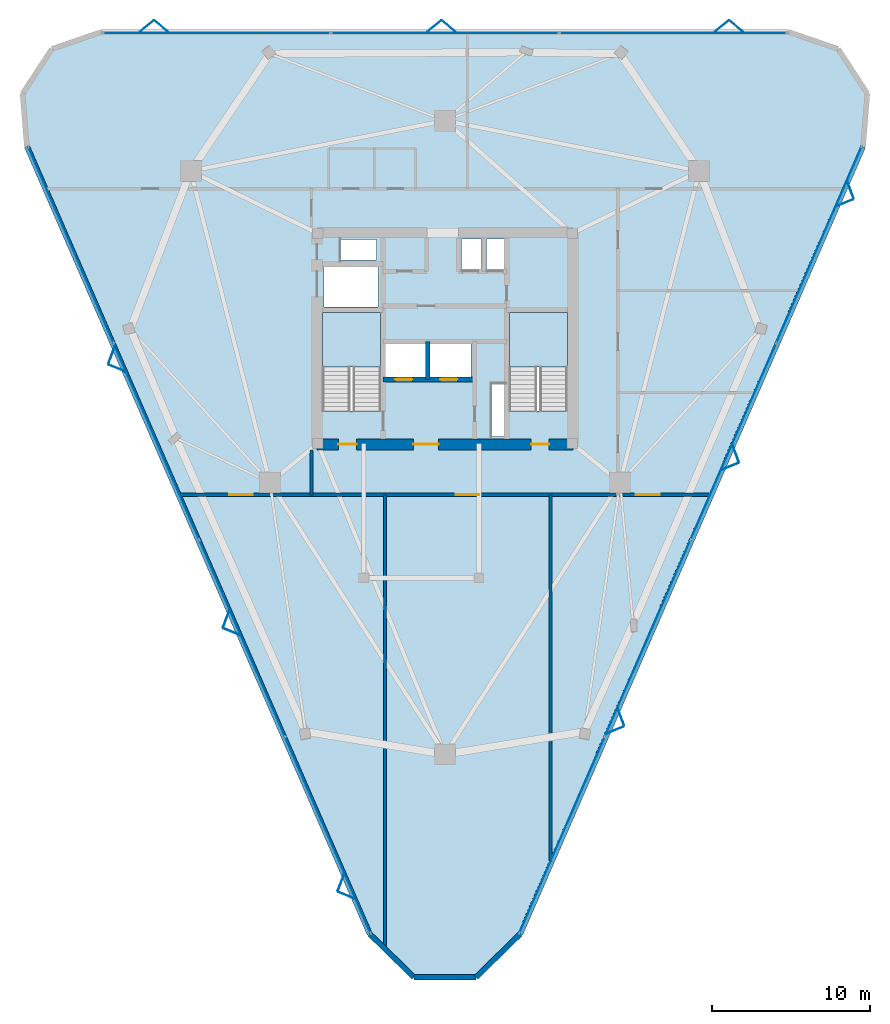
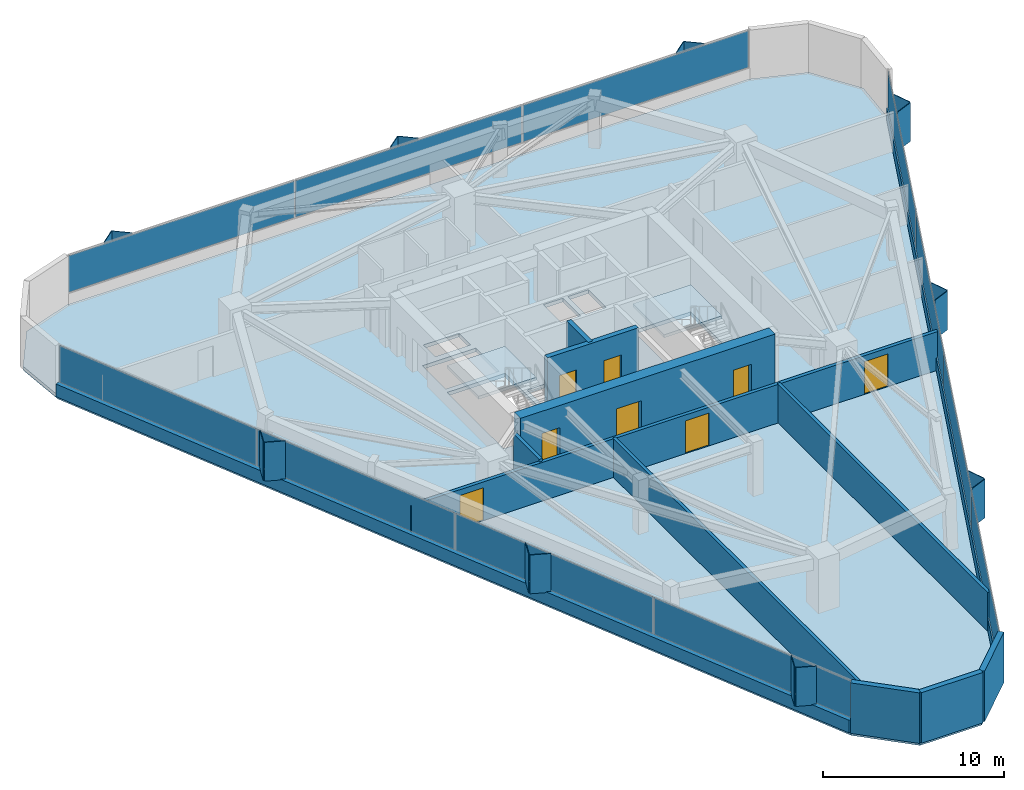
# One storey, part 9 of 12: 29 plates, 12 walls, 8 doors, 3 slabs, 8 openings, 5 elements without a shape of their own.
"""IFC4 building model written with IfcOpenShell, lengths in metres."""

from ifc_helpers import new_model, si_unit, direction, frame, frame_2d, origin, origin_2d, place, context, subcontext, project, spatial, polyline, rectangle, outline, extrude, material, layer, layer_set, type_object, element, fill, aggregate, save


model = new_model("IFC4")

# Units and contexts
model_context = context("Model", 3, precision=1e-05, world=origin(), true_north=direction((0.0, 1.0)))
body_context = subcontext(model_context, "Body", "Model", "MODEL_VIEW")
ifc_project = project(units=[si_unit("LENGTHUNIT", "METRE"), si_unit("AREAUNIT", "SQUARE_METRE"), si_unit("VOLUMEUNIT", "CUBIC_METRE"), si_unit("PLANEANGLEUNIT", "RADIAN"), si_unit("MASSUNIT", "GRAM", prefix="KILO")], contexts=[model_context])

# Site, building, storey
site_placement = place(None, origin())
site = spatial("IfcSite", under=ifc_project, at=site_placement, CompositionType="ELEMENT")
building_placement = place(site_placement, origin())
building = spatial("IfcBuilding", under=site, at=building_placement, Name="Talyreon Biosciences Tower", CompositionType="ELEMENT")
storey_placement = place(building_placement, frame((0.0, 0.0, 186.699951171875)))
storey = spatial("IfcBuildingStorey", under=building, at=storey_placement, Name="L49", CompositionType="ELEMENT", Elevation=186.699951171875)

# Curtain wall, plates
ifc_material_1 = material(Name="Thermally broken aluminium and low-E glazing", Category="aluminium")
ifc_layer_1 = layer(ifc_material_1, 0.179931640625)
ifc_layer_set_1 = layer_set([ifc_layer_1], Name="Thermally broken aluminium and low-E glazing")
curtain_wall_type = type_object("IfcCurtainWallType", Name="CurtainWall_Zone4Optical", PredefinedType="NOTDEFINED", material=ifc_layer_set_1)
curtain_wall_1_placement = place(storey_placement, origin())
curtain_wall_1 = element("IfcCurtainWall", 1, at=curtain_wall_1_placement, inside=storey, type_object=curtain_wall_type, Name="L49 Unitised Curtain Wall FCW-L49-00", PredefinedType="NOTDEFINED")
ifc_material_2 = material(Name="Triple-silver low-E insulated glazing", Category="glass")
ifc_layer_2 = layer(ifc_material_2, 0.031982421875)
ifc_layer_set_2 = layer_set([ifc_layer_2], Name="Triple-silver low-E insulated glazing")
plate_type_1 = type_object("IfcPlateType", Name="CWGlazingPanel_32", PredefinedType="CURTAIN_PANEL", material=ifc_layer_set_2)
plate_1_placement = place(storey_placement, frame((58.5869140625, 36.573974609375, 0.875), z_axis=(0.0, 0.0, 1.0), x_axis=(-0.399089020519, 0.916912184291, 0.0)))
plate_1 = element("IfcPlate", 2, at=plate_1_placement, type_object=plate_type_1, Name="CW5 panel 1.1", PredefinedType="CURTAIN_PANEL", context=body_context, shape_type="SweptSolid", body=[
    extrude(rectangle(XDim=13.49365234375, YDim=0.031982421875, at=origin_2d()), origin(), (0.0, 0.0, 1.0), 2.4599609375),
])
plate_2_placement = place(storey_placement, frame((53.16943359375, 49.02099609375, 0.875), z_axis=(0.0, 0.0, 1.0), x_axis=(-0.399089020519, 0.916912184291, 0.0)))
plate_2 = element("IfcPlate", 3, at=plate_2_placement, type_object=plate_type_1, Name="CW5 panel 2.1", PredefinedType="CURTAIN_PANEL", context=body_context, shape_type="SweptSolid", body=[
    extrude(rectangle(XDim=13.526123046875, YDim=0.031982421875, at=origin_2d()), origin(), (0.0, 0.0, 1.0), 2.4599609375),
])
plate_3_placement = place(storey_placement, frame((47.745361328125, 61.482666015625, 0.875), z_axis=(0.0, 0.0, 1.0), x_axis=(-0.399089020519, 0.916912184291, 0.0)))
plate_3 = element("IfcPlate", 4, at=plate_3_placement, type_object=plate_type_1, Name="CW5 panel 3.1", PredefinedType="CURTAIN_PANEL", context=body_context, shape_type="SweptSolid", body=[
    extrude(rectangle(XDim=13.526123046875, YDim=0.031982421875, at=origin_2d()), origin(), (0.0, 0.0, 1.0), 2.4599609375),
])
plate_4_placement = place(storey_placement, frame((42.327880859375, 73.9296875, 0.875), z_axis=(0.0, 0.0, 1.0), x_axis=(-0.399089020519, 0.916912184291, 0.0)))
plate_4 = element("IfcPlate", 5, at=plate_4_placement, type_object=plate_type_1, Name="CW5 panel 4.1", PredefinedType="CURTAIN_PANEL", context=body_context, shape_type="SweptSolid", body=[
    extrude(rectangle(XDim=13.49365234375, YDim=0.031982421875, at=origin_2d()), origin(), (0.0, 0.0, 1.0), 2.4599609375),
])
aggregate(curtain_wall_1, [plate_1, plate_2, plate_3, plate_4])

curtain_wall_2_placement = place(storey_placement, origin())
curtain_wall_2 = element("IfcCurtainWall", 6, at=curtain_wall_2_placement, inside=storey, type_object=curtain_wall_type, Name="L49 Unitised Curtain Wall FCW-L49-04", PredefinedType="NOTDEFINED")
plate_5_placement = place(storey_placement, frame((51.552001953125, 87.3388671875, 0.875), z_axis=(0.0, 0.0, 1.0), x_axis=(1.0, 0.0, 0.0)))
plate_5 = element("IfcPlate", 7, at=plate_5_placement, type_object=plate_type_1, Name="CW5 panel 1.1", PredefinedType="CURTAIN_PANEL", context=body_context, shape_type="SweptSolid", body=[
    extrude(rectangle(XDim=14.36669921875, YDim=0.031982421875, at=origin_2d()), origin(), (0.0, 0.0, 1.0), 2.4599609375),
])
plate_6_placement = place(storey_placement, frame((66.0, 87.3388671875, 0.875), z_axis=(0.0, 0.0, 1.0), x_axis=(1.0, 0.0, 0.0)))
plate_6 = element("IfcPlate", 8, at=plate_6_placement, type_object=plate_type_1, Name="CW5 panel 2.1", PredefinedType="CURTAIN_PANEL", context=body_context, shape_type="SweptSolid", body=[
    extrude(rectangle(XDim=14.399169921875, YDim=0.031982421875, at=origin_2d()), origin(), (0.0, 0.0, 1.0), 2.4599609375),
])
plate_7_placement = place(storey_placement, frame((80.447998046875, 87.3388671875, 0.875), z_axis=(0.0, 0.0, 1.0), x_axis=(1.0, 0.0, 0.0)))
plate_7 = element("IfcPlate", 9, at=plate_7_placement, type_object=plate_type_1, Name="CW5 panel 3.1", PredefinedType="CURTAIN_PANEL", context=body_context, shape_type="SweptSolid", body=[
    extrude(rectangle(XDim=14.36669921875, YDim=0.031982421875, at=origin_2d()), origin(), (0.0, 0.0, 1.0), 2.4599609375),
])
aggregate(curtain_wall_2, [plate_5, plate_6, plate_7])

curtain_wall_3_placement = place(storey_placement, origin())
curtain_wall_3 = element("IfcCurtainWall", 10, at=curtain_wall_3_placement, inside=storey, type_object=curtain_wall_type, Name="L49 Unitised Curtain Wall FCW-L49-08", PredefinedType="NOTDEFINED")
plate_8_placement = place(storey_placement, frame((89.672119140625, 73.9296875, 0.875), z_axis=(0.0, 0.0, 1.0), x_axis=(-0.399089020519, -0.916912184291, 0.0)))
plate_8 = element("IfcPlate", 11, at=plate_8_placement, type_object=plate_type_1, Name="CW5 panel 1.1", PredefinedType="CURTAIN_PANEL", context=body_context, shape_type="SweptSolid", body=[
    extrude(rectangle(XDim=13.49365234375, YDim=0.031982421875, at=origin_2d()), origin(), (0.0, 0.0, 1.0), 2.4599609375),
])
plate_9_placement = place(storey_placement, frame((84.254638671875, 61.482666015625, 0.875), z_axis=(0.0, 0.0, 1.0), x_axis=(-0.399089020519, -0.916912184291, 0.0)))
plate_9 = element("IfcPlate", 12, at=plate_9_placement, type_object=plate_type_1, Name="CW5 panel 2.1", PredefinedType="CURTAIN_PANEL", context=body_context, shape_type="SweptSolid", body=[
    extrude(rectangle(XDim=13.526123046875, YDim=0.031982421875, at=origin_2d()), origin(), (0.0, 0.0, 1.0), 2.4599609375),
])
plate_10_placement = place(storey_placement, frame((78.83056640625, 49.02099609375, 0.875), z_axis=(0.0, 0.0, 1.0), x_axis=(-0.399089020519, -0.916912184291, 0.0)))
plate_10 = element("IfcPlate", 13, at=plate_10_placement, type_object=plate_type_1, Name="CW5 panel 3.1", PredefinedType="CURTAIN_PANEL", context=body_context, shape_type="SweptSolid", body=[
    extrude(rectangle(XDim=13.526123046875, YDim=0.031982421875, at=origin_2d()), origin(), (0.0, 0.0, 1.0), 2.4599609375),
])
plate_11_placement = place(storey_placement, frame((73.4130859375, 36.573974609375, 0.875), z_axis=(0.0, 0.0, 1.0), x_axis=(-0.399089020519, -0.916912184291, 0.0)))
plate_11 = element("IfcPlate", 14, at=plate_11_placement, type_object=plate_type_1, Name="CW5 panel 4.1", PredefinedType="CURTAIN_PANEL", context=body_context, shape_type="SweptSolid", body=[
    extrude(rectangle(XDim=13.49365234375, YDim=0.031982421875, at=origin_2d()), origin(), (0.0, 0.0, 1.0), 2.4599609375),
])
aggregate(curtain_wall_3, [plate_8, plate_9, plate_10, plate_11])

# Slab
ifc_material_3 = material(Name="Concrete C40/50", Category="concrete")
ifc_layer_3 = layer(ifc_material_3, 0.25)
ifc_layer_set_3 = layer_set([ifc_layer_3], Name="Concrete C40/50")
slab_type_1 = type_object("IfcSlabType", Name="DryLabFloorSlab_250", PredefinedType="FLOOR", material=ifc_layer_set_3)
slab_1_placement = place(storey_placement, frame((0.0, 0.0, -0.25)))
element("IfcSlab", 15, at=slab_1_placement, inside=storey, type_object=slab_type_1, Name="L49 Structural Floor Slab", PredefinedType="FLOOR", context=body_context, shape_type="SweptSolid", body=[
    extrude(outline(polyline([(61.232177734375, 30.29638671875), (39.535888671875, 80.1435546875), (39.265380859375, 83.5048828125), (41.11376953125, 86.325439453125), (44.3037109375, 87.4189453125), (87.6962890625, 87.4189453125), (90.88623046875, 86.325439453125), (92.734619140625, 83.5048828125), (92.464111328125, 80.1435546875), (70.767822265625, 30.29638671875), (67.96142578125, 27.5556640625), (64.03857421875, 27.5556640625), (61.232177734375, 30.29638671875)]), holes=[polyline([(69.820068359375, 65.10009765625), (69.820068359375, 61.800048828125), (68.9599609375, 61.800048828125), (68.9599609375, 65.10009765625), (69.820068359375, 65.10009765625)]), polyline([(61.929931640625, 69.64990234375), (61.929931640625, 63.407958984375), (58.25, 63.407958984375), (58.25, 69.64990234375), (61.929931640625, 69.64990234375)]), polyline([(73.75, 69.64990234375), (73.75, 63.407958984375), (70.070068359375, 63.407958984375), (70.070068359375, 69.64990234375), (73.75, 69.64990234375)]), polyline([(64.800048828125, 67.64990234375), (64.800048828125, 65.550048828125), (62.199951171875, 65.550048828125), (62.199951171875, 67.64990234375), (64.800048828125, 67.64990234375)]), polyline([(67.64990234375, 67.64990234375), (67.64990234375, 65.550048828125), (65.050048828125, 65.550048828125), (65.050048828125, 67.64990234375), (67.64990234375, 67.64990234375)]), polyline([(61.75, 72.550048828125), (61.75, 69.97998046875), (58.35009765625, 69.97998046875), (58.35009765625, 72.550048828125), (61.75, 72.550048828125)]), polyline([(68.300048828125, 74.300048828125), (68.300048828125, 72.35009765625), (67.050048828125, 72.35009765625), (67.050048828125, 74.300048828125), (68.300048828125, 74.300048828125)]), polyline([(69.919921875, 72.35009765625), (68.6201171875, 72.35009765625), (68.6201171875, 74.300048828125), (69.919921875, 74.300048828125), (69.919921875, 72.35009765625)]), polyline([(61.64990234375, 72.9599609375), (59.39990234375, 72.9599609375), (59.39990234375, 74.25), (61.64990234375, 74.25), (61.64990234375, 72.9599609375)])]), origin(), (0.0, 0.0, 1.0), 0.25),
])

# Plates
ifc_material_4 = material(Name="Ivory GFRC sunshade panel", Category="concrete")
ifc_layer_4 = layer(ifc_material_4, 0.044921875)
ifc_layer_set_4 = layer_set([ifc_layer_4], Name="Ivory GFRC sunshade panel")
plate_type_2 = type_object("IfcPlateType", Name="FoldedVSunshade_NorthFace_SUNSHADE", PredefinedType="USERDEFINED", material=ifc_layer_set_4)
for number, where, z_axis, x_axis, name in (
    (16, (47.123779296875, 87.77880859375, 0.7900390625), (0.0, 0.0, 1.0), (0.771624583388, 0.636078220278, 0.0), "L49 Folded V-Sunshade Panel 04.01L"),
    (17, (48.023681640625, 87.77880859375, 0.7900390625), (0.0, 0.0, 1.0), (0.771624583388, -0.636078220278, 0.0), "L49 Folded V-Sunshade Panel 04.01R"),
    (18, (65.32373046875, 87.77880859375, 0.7900390625), (0.0, 0.0, 1.0), (0.771624583388, 0.636078220278, 0.0), "L49 Folded V-Sunshade Panel 04.02L"),
    (19, (66.223876953125, 87.77880859375, 0.7900390625), (0.0, 0.0, 1.0), (0.771624583388, -0.636078220278, 0.0), "L49 Folded V-Sunshade Panel 04.02R"),
    (20, (83.523681640625, 87.77880859375, 0.7900390625), (0.0, 0.0, 1.0), (0.771624583388, 0.636078220278, 0.0), "L49 Folded V-Sunshade Panel 04.03L"),
    (21, (84.423828125, 87.77880859375, 0.7900390625), (0.0, 0.0, 1.0), (0.771624583388, -0.636078220278, 0.0), "L49 Folded V-Sunshade Panel 04.03R"),
):
    element("IfcPlate", number, at=place(storey_placement, frame(where, z_axis=z_axis, x_axis=x_axis)), inside=storey, type_object=plate_type_2, Name=name, ObjectType="SUNSHADE", PredefinedType="USERDEFINED", context=body_context, shape_type="SweptSolid", body=[
        extrude(rectangle(XDim=1.14990234375, YDim=0.044921875, at=origin_2d()), origin(), (0.0, 0.0, 1.0), 2.610107421875),
    ])
ifc_layer_5 = layer(ifc_material_4, 0.044921875)
ifc_layer_set_5 = layer_set([ifc_layer_5], Name="Ivory GFRC sunshade panel")
plate_type_3 = type_object("IfcPlateType", Name="FoldedVSunshade_SunFace_SUNSHADE", PredefinedType="USERDEFINED", material=ifc_layer_set_5)
for number, where, z_axis, x_axis, name in (
    (22, (59.776611328125, 32.73828125, 0.7900390625), (0.0, 0.0, 1.0), (-0.924019731257, 0.382344787134, 0.0), "L49 Folded V-Sunshade Panel 00.01L"),
    (23, (59.41748046875, 33.5634765625, 0.7900390625), (0.0, 0.0, 1.0), (0.349864049456, 0.93680048404, 0.0), "L49 Folded V-Sunshade Panel 00.01R"),
    (24, (52.51318359375, 49.426025390625, 0.7900390625), (0.0, 0.0, 1.0), (-0.924019731257, 0.382344787134, 0.0), "L49 Folded V-Sunshade Panel 00.02L"),
    (25, (52.154052734375, 50.251220703125, 0.7900390625), (0.0, 0.0, 1.0), (0.349864049456, 0.93680048404, 0.0), "L49 Folded V-Sunshade Panel 00.02R"),
    (26, (45.249755859375, 66.114013671875, 0.7900390625), (0.0, 0.0, 1.0), (-0.924019731257, 0.382344787134, 0.0), "L49 Folded V-Sunshade Panel 00.03L"),
    (27, (44.890625, 66.939208984375, 0.7900390625), (0.0, 0.0, 1.0), (0.349864049456, 0.93680048404, 0.0), "L49 Folded V-Sunshade Panel 00.03R"),
    (28, (91.668701171875, 77.414306640625, 0.7900390625), (0.0, 0.0, 1.0), (0.349864049456, -0.93680048404, 0.0), "L49 Folded V-Sunshade Panel 08.01L"),
    (29, (91.3095703125, 76.589111328125, 0.7900390625), (0.0, 0.0, 1.0), (-0.924019731257, -0.382344787134, 0.0), "L49 Folded V-Sunshade Panel 08.01R"),
    (30, (84.4052734375, 60.726318359375, 0.7900390625), (0.0, 0.0, 1.0), (0.349864049456, -0.93680048404, 0.0), "L49 Folded V-Sunshade Panel 08.02L"),
    (31, (84.046142578125, 59.901123046875, 0.7900390625), (0.0, 0.0, 1.0), (-0.924019731257, -0.382344787134, 0.0), "L49 Folded V-Sunshade Panel 08.02R"),
    (32, (77.141845703125, 44.03857421875, 0.7900390625), (0.0, 0.0, 1.0), (0.349864049456, -0.93680048404, 0.0), "L49 Folded V-Sunshade Panel 08.03L"),
    (33, (76.78271484375, 43.21337890625, 0.7900390625), (0.0, 0.0, 1.0), (-0.924019731257, -0.382344787134, 0.0), "L49 Folded V-Sunshade Panel 08.03R"),
):
    element("IfcPlate", number, at=place(storey_placement, frame(where, z_axis=z_axis, x_axis=x_axis)), inside=storey, type_object=plate_type_3, Name=name, ObjectType="SUNSHADE", PredefinedType="USERDEFINED", context=body_context, shape_type="SweptSolid", body=[
        extrude(rectangle(XDim=1.14990234375, YDim=0.044921875, at=origin_2d()), origin(), (0.0, 0.0, 1.0), 2.610107421875),
    ])

# Stair, slab
stair_type = type_object("IfcStairType", Name="DoglegEscapeStair_3650", PredefinedType="HALF_TURN_STAIR", material=ifc_material_3)
stair_1_placement = place(storey_placement, origin())
stair_1 = element("IfcStair", 34, at=stair_1_placement, inside=storey, type_object=stair_type, Name="L49 Core Escape Stair 1", PredefinedType="HALF_TURN_STAIR")
ifc_layer_6 = layer(ifc_material_3, 0.199951171875)
ifc_layer_set_6 = layer_set([ifc_layer_6], Name="Concrete C40/50")
slab_type_2 = type_object("IfcSlabType", Name="StairLandingSlab_200", PredefinedType="LANDING", material=ifc_layer_set_6)
slab_2_placement = place(storey_placement, frame((0.0, 0.0, 1.625)))
slab_2 = element("IfcSlab", 35, at=slab_2_placement, type_object=slab_type_2, Name="ST-1 landing 1", PredefinedType="LANDING", context=body_context, shape_type="SweptSolid", body=[
    extrude(outline(polyline([(61.929931640625, 66.199951171875), (61.929931640625, 69.64990234375), (58.25, 69.64990234375), (58.25, 66.199951171875), (61.929931640625, 66.199951171875)])), origin(), (0.0, 0.0, 1.0), 0.199951171875),
])
aggregate(stair_1, [slab_2])

stair_2_placement = place(storey_placement, origin())
stair_2 = element("IfcStair", 36, at=stair_2_placement, inside=storey, type_object=stair_type, Name="L49 Core Escape Stair 2", PredefinedType="HALF_TURN_STAIR")
slab_3_placement = place(storey_placement, frame((0.0, 0.0, 1.625)))
slab_3 = element("IfcSlab", 37, at=slab_3_placement, type_object=slab_type_2, Name="ST-2 landing 1", PredefinedType="LANDING", context=body_context, shape_type="SweptSolid", body=[
    extrude(outline(polyline([(73.75, 66.199951171875), (73.75, 69.64990234375), (70.070068359375, 69.64990234375), (70.070068359375, 66.199951171875), (73.75, 66.199951171875)])), origin(), (0.0, 0.0, 1.0), 0.199951171875),
])
aggregate(stair_2, [slab_3])

# Walls
ifc_material_5 = material(Name="Gypsum fireboard acoustic stud", Category="gypsum")
ifc_layer_7 = layer(ifc_material_5, 0.199951171875)
ifc_layer_set_7 = layer_set([ifc_layer_7], Name="Gypsum fireboard acoustic stud")
wall_type_1 = type_object("IfcWallType", Name="ChemControlPartition_200", PredefinedType="PARTITIONING", material=ifc_layer_set_7)
wall_1_placement = place(storey_placement, frame((62.199951171875, 29.469970703125, 0.0), z_axis=(0.0, 0.0, 1.0), x_axis=(0.0, 1.0, 0.0)))
element("IfcWall", 38, at=wall_1_placement, inside=storey, type_object=wall_type_1, Name="L49 Interior Wall IW-L49-SDIV1", PredefinedType="PARTITIONING", context=body_context, shape_type="SweptSolid", body=[
    extrude(rectangle(XDim=28.630126953125, YDim=0.199951171875, at=frame_2d((14.31494140625, 0.0))), origin(), (0.0, 0.0, 1.0), 2.60009765625),
])
wall_2_placement = place(storey_placement, frame((72.672119140625, 34.884033203125, 0.0), z_axis=(0.0, 0.0, 1.0), x_axis=(0.0, 1.0, 0.0)))
element("IfcWall", 39, at=wall_2_placement, inside=storey, type_object=wall_type_1, Name="L49 Interior Wall IW-L49-SDIV2", PredefinedType="PARTITIONING", context=body_context, shape_type="SweptSolid", body=[
    extrude(rectangle(XDim=23.216064453125, YDim=0.199951171875, at=frame_2d((11.60791015625, 0.0))), origin(), (0.0, 0.0, 1.0), 2.60009765625),
])
ifc_material_6 = material(Name="Concrete C50/60", Category="concrete")
ifc_layer_8 = layer(ifc_material_6, 0.280029296875)
ifc_layer_set_8 = layer_set([ifc_layer_8], Name="Concrete C50/60")
wall_type_2 = type_object("IfcWallType", Name="CoreShearWall_280", PredefinedType="SHEAR", material=ifc_layer_set_8)
wall_3_placement = place(storey_placement, frame((64.919921875, 65.39990234375, 0.0), z_axis=(0.0, 0.0, 1.0), x_axis=(0.0, 1.0, 0.0)))
element("IfcWall", 40, at=wall_3_placement, inside=storey, type_object=wall_type_2, Name="L49 Core Shaft Wall SWSHD1", PredefinedType="SHEAR", context=body_context, shape_type="SweptSolid", body=[
    extrude(rectangle(XDim=2.400146484375, YDim=0.280029296875, at=frame_2d((1.2001953125, 0.0))), origin(), (0.0, 0.0, 1.0), 3.650146484375),
])

# Wall, openings, doors
ifc_layer_9 = layer(ifc_material_6, 0.320068359375)
ifc_layer_set_9 = layer_set([ifc_layer_9], Name="Concrete C50/60")
wall_type_3 = type_object("IfcWallType", Name="CoreShearWall_320", PredefinedType="SHEAR", material=ifc_layer_set_9)
wall_4_placement = place(storey_placement, frame((62.090087890625, 65.39990234375, 0.0), z_axis=(0.0, 0.0, 1.0), x_axis=(1.0, 0.0, 0.0)))
wall_4 = element("IfcWall", 41, at=wall_4_placement, inside=storey, type_object=wall_type_3, Name="L49 Core Shaft Wall SWFFN", PredefinedType="SHEAR", context=body_context, shape_type="SweptSolid", body=[
    extrude(rectangle(XDim=5.789794921875, YDim=0.320068359375, at=frame_2d((2.89501953125, 0.0))), origin(), (0.0, 0.0, 1.0), 3.650146484375),
])
opening_1_placement = place(wall_4_placement, frame((0.75, 0.0, 0.0)))
opening_1 = element("IfcOpeningElement", 42, at=opening_1_placement, cuts=wall_4, Name="Opening LD-L49-FL1", PredefinedType="OPENING", context=body_context, shape_type="SweptSolid", body=[
    extrude(rectangle(XDim=1.10009765625, YDim=2.199951171875, at=frame_2d((0.550048828125, 1.10009765625))), frame((0.0, 0.169921875, 0.0), z_axis=(0.0, -1.0, 0.0), x_axis=(1.0, 0.0, 0.0)), (0.0, 0.0, 1.0), 0.340087890625),
])
opening_2_placement = place(wall_4_placement, frame((3.60009765625, 0.0, 0.0)))
opening_2 = element("IfcOpeningElement", 43, at=opening_2_placement, cuts=wall_4, Name="Opening LD-L49-FL2", PredefinedType="OPENING", context=body_context, shape_type="SweptSolid", body=[
    extrude(rectangle(XDim=1.10009765625, YDim=2.199951171875, at=frame_2d((0.550048828125, 1.10009765625))), frame((0.0, 0.169921875, 0.0), z_axis=(0.0, -1.0, 0.0), x_axis=(1.0, 0.0, 0.0)), (0.0, 0.0, 1.0), 0.340087890625),
])
ifc_material_7 = material(Name="Brushed stainless-steel lift landing door", Category="steel")
door_type_1 = type_object("IfcDoorType", Name="LiftSlidingLandingDoor_1100x2200", OperationType="SLIDING_TO_LEFT", PredefinedType="DOOR", material=ifc_material_7)
door_1_placement = place(opening_1_placement, origin())
door_1 = element("IfcDoor", 44, at=door_1_placement, inside=storey, type_object=door_type_1, Name="L49 Core Door LD-L49-FL1", OperationType="SLIDING_TO_LEFT", OverallHeight=2.199951171875, OverallWidth=1.10009765625, PredefinedType="DOOR", context=body_context, shape_type="SweptSolid", body=[
    extrude(rectangle(XDim=1.10009765625, YDim=2.199951171875, at=frame_2d((0.550048828125, 1.10009765625))), frame((0.0, 0.02490234375, 0.0), z_axis=(0.0, -1.0, 0.0), x_axis=(1.0, 0.0, 0.0)), (0.0, 0.0, 1.0), 0.050048828125),
])
fill(opening_1, door_1)
door_2_placement = place(opening_2_placement, origin())
door_2 = element("IfcDoor", 45, at=door_2_placement, inside=storey, type_object=door_type_1, Name="L49 Core Door LD-L49-FL2", OperationType="SLIDING_TO_LEFT", OverallHeight=2.199951171875, OverallWidth=1.10009765625, PredefinedType="DOOR", context=body_context, shape_type="SweptSolid", body=[
    extrude(rectangle(XDim=1.10009765625, YDim=2.199951171875, at=frame_2d((0.550048828125, 1.10009765625))), frame((0.0, 0.02490234375, 0.0), z_axis=(0.0, -1.0, 0.0), x_axis=(1.0, 0.0, 0.0)), (0.0, 0.0, 1.0), 0.050048828125),
])
fill(opening_2, door_2)

ifc_layer_10 = layer(ifc_material_6, 0.699951171875)
ifc_layer_set_10 = layer_set([ifc_layer_10], Name="Concrete C50/60")
wall_type_4 = type_object("IfcWallType", Name="CoreShearWall_700", PredefinedType="SHEAR", material=ifc_layer_set_10)
wall_5_placement = place(storey_placement, frame((57.89990234375, 61.300048828125, 0.0), z_axis=(0.0, 0.0, 1.0), x_axis=(1.0, 0.0, 0.0)))
wall_5 = element("IfcWall", 46, at=wall_5_placement, inside=storey, type_object=wall_type_4, Name="L49 Core Shear Wall S", PredefinedType="SHEAR", context=body_context, shape_type="SweptSolid", body=[
    extrude(rectangle(XDim=16.2001953125, YDim=0.699951171875, at=frame_2d((8.10009765625, 0.0))), origin(), (0.0, 0.0, 1.0), 3.650146484375),
])
opening_3_placement = place(wall_5_placement, frame((1.35009765625, 0.0, 0.0)))
opening_3 = element("IfcOpeningElement", 47, at=opening_3_placement, cuts=wall_5, Name="Opening DR-L49-ST1", PredefinedType="OPENING", context=body_context, shape_type="SweptSolid", body=[
    extrude(rectangle(XDim=1.14990234375, YDim=2.14990234375, at=frame_2d((0.574951171875, 1.074951171875))), frame((0.0, 0.35986328125, 0.0), z_axis=(0.0, -1.0, 0.0), x_axis=(1.0, 0.0, 0.0)), (0.0, 0.0, 1.0), 0.719970703125),
])
opening_4_placement = place(wall_5_placement, frame((6.10009765625, 0.0, 0.0)))
opening_4 = element("IfcOpeningElement", 48, at=opening_4_placement, cuts=wall_5, Name="Opening DR-L49-FFL", PredefinedType="OPENING", context=body_context, shape_type="SweptSolid", body=[
    extrude(rectangle(XDim=1.60009765625, YDim=2.14990234375, at=frame_2d((0.800048828125, 1.074951171875))), frame((0.0, 0.35986328125, 0.0), z_axis=(0.0, -1.0, 0.0), x_axis=(1.0, 0.0, 0.0)), (0.0, 0.0, 1.0), 0.719970703125),
])
opening_5_placement = place(wall_5_placement, frame((13.550048828125, 0.0, 0.0)))
opening_5 = element("IfcOpeningElement", 49, at=opening_5_placement, cuts=wall_5, Name="Opening DR-L49-ST2", PredefinedType="OPENING", context=body_context, shape_type="SweptSolid", body=[
    extrude(rectangle(XDim=1.14990234375, YDim=2.14990234375, at=frame_2d((0.574951171875, 1.074951171875))), frame((0.0, 0.35986328125, 0.0), z_axis=(0.0, -1.0, 0.0), x_axis=(1.0, 0.0, 0.0)), (0.0, 0.0, 1.0), 0.719970703125),
])
ifc_material_8 = material(Name="Painted steel smoke-seal fire door", Category="steel")
door_type_2 = type_object("IfcDoorType", Name="FirefightingLobbyDoubleDoor_1600x2150", OperationType="DOUBLE_DOOR_SINGLE_SWING", PredefinedType="DOOR", material=ifc_material_8)
door_3_placement = place(opening_4_placement, origin())
door_3 = element("IfcDoor", 50, at=door_3_placement, inside=storey, type_object=door_type_2, Name="L49 Core Door DR-L49-FFL", OperationType="DOUBLE_DOOR_SINGLE_SWING", OverallHeight=2.14990234375, OverallWidth=1.60009765625, PredefinedType="DOOR", context=body_context, shape_type="SweptSolid", body=[
    extrude(rectangle(XDim=1.60009765625, YDim=2.14990234375, at=frame_2d((0.800048828125, 1.074951171875))), frame((0.0, 0.02490234375, 0.0), z_axis=(0.0, -1.0, 0.0), x_axis=(1.0, 0.0, 0.0)), (0.0, 0.0, 1.0), 0.050048828125),
])
fill(opening_4, door_3)
ifc_material_9 = material(Name="Painted steel fire door", Category="steel")
door_type_3 = type_object("IfcDoorType", Name="StairShaftFireDoor_1150x2150", OperationType="NOTDEFINED", PredefinedType="DOOR", material=ifc_material_9)
door_4_placement = place(opening_3_placement, origin())
door_4 = element("IfcDoor", 51, at=door_4_placement, inside=storey, type_object=door_type_3, Name="L49 Core Door DR-L49-ST1", OperationType="SINGLE_SWING_LEFT", OverallHeight=2.14990234375, OverallWidth=1.14990234375, PredefinedType="DOOR", context=body_context, shape_type="SweptSolid", body=[
    extrude(rectangle(XDim=1.14990234375, YDim=2.14990234375, at=frame_2d((0.574951171875, 1.074951171875))), frame((0.0, 0.02490234375, 0.0), z_axis=(0.0, -1.0, 0.0), x_axis=(1.0, 0.0, 0.0)), (0.0, 0.0, 1.0), 0.050048828125),
])
fill(opening_3, door_4)
door_5_placement = place(opening_5_placement, origin())
door_5 = element("IfcDoor", 52, at=door_5_placement, inside=storey, type_object=door_type_3, Name="L49 Core Door DR-L49-ST2", OperationType="SINGLE_SWING_RIGHT", OverallHeight=2.14990234375, OverallWidth=1.14990234375, PredefinedType="DOOR", context=body_context, shape_type="SweptSolid", body=[
    extrude(rectangle(XDim=1.14990234375, YDim=2.14990234375, at=frame_2d((0.574951171875, 1.074951171875))), frame((0.0, 0.02490234375, 0.0), z_axis=(0.0, -1.0, 0.0), x_axis=(1.0, 0.0, 0.0)), (0.0, 0.0, 1.0), 0.050048828125),
])
fill(opening_5, door_5)

ifc_layer_11 = layer(ifc_material_5, 0.219970703125)
ifc_layer_set_11 = layer_set([ifc_layer_11], Name="Gypsum fireboard acoustic stud")
wall_type_5 = type_object("IfcWallType", Name="CorridorRatedPartition_220", PredefinedType="PARTITIONING", material=ifc_layer_set_11)
wall_6_placement = place(storey_placement, frame((49.22314453125, 58.10009765625, 0.0), z_axis=(0.0, 0.0, 1.0), x_axis=(1.0, 0.0, 0.0)))
wall_6 = element("IfcWall", 53, at=wall_6_placement, inside=storey, type_object=wall_type_5, Name="L49 Interior Wall IW-L49-COR-S", PredefinedType="PARTITIONING", context=body_context, shape_type="SweptSolid", body=[
    extrude(rectangle(XDim=33.5537109375, YDim=0.219970703125, at=frame_2d((16.77685546875, 0.0))), origin(), (0.0, 0.0, 1.0), 2.60009765625),
])
opening_6_placement = place(wall_6_placement, frame((3.116943359375, 0.0, 0.0)))
opening_6 = element("IfcOpeningElement", 54, at=opening_6_placement, cuts=wall_6, Name="Opening DR-L49-S1A", PredefinedType="OPENING", context=body_context, shape_type="SweptSolid", body=[
    extrude(rectangle(XDim=1.5, YDim=2.199951171875, at=frame_2d((0.75, 1.10009765625))), frame((0.0, 0.119873046875, 0.0), z_axis=(0.0, -1.0, 0.0), x_axis=(1.0, 0.0, 0.0)), (0.0, 0.0, 1.0), 0.239990234375),
])
opening_7_placement = place(wall_6_placement, frame((17.462890625, 0.0, 0.0)))
opening_7 = element("IfcOpeningElement", 55, at=opening_7_placement, cuts=wall_6, Name="Opening DR-L49-S2A", PredefinedType="OPENING", context=body_context, shape_type="SweptSolid", body=[
    extrude(rectangle(XDim=1.5, YDim=2.199951171875, at=frame_2d((0.75, 1.10009765625))), frame((0.0, 0.119873046875, 0.0), z_axis=(0.0, -1.0, 0.0), x_axis=(1.0, 0.0, 0.0)), (0.0, 0.0, 1.0), 0.239990234375),
])
opening_8_placement = place(wall_6_placement, frame((28.863037109375, 0.0, 0.0)))
opening_8 = element("IfcOpeningElement", 56, at=opening_8_placement, cuts=wall_6, Name="Opening DR-L49-S3A", PredefinedType="OPENING", context=body_context, shape_type="SweptSolid", body=[
    extrude(rectangle(XDim=1.5, YDim=2.199951171875, at=frame_2d((0.75, 1.10009765625))), frame((0.0, 0.119873046875, 0.0), z_axis=(0.0, -1.0, 0.0), x_axis=(1.0, 0.0, 0.0)), (0.0, 0.0, 1.0), 0.239990234375),
])
ifc_material_10 = material(Name="Vision-panel steel laboratory fire door", Category="steel")
door_type_4 = type_object("IfcDoorType", Name="WetLabDoubleLeafDoor_1500x2200", OperationType="DOUBLE_DOOR_SINGLE_SWING", PredefinedType="DOOR", material=ifc_material_10)
door_6_placement = place(opening_6_placement, origin())
door_6 = element("IfcDoor", 57, at=door_6_placement, inside=storey, type_object=door_type_4, Name="L49 Interior Door DR-L49-S1A", OperationType="DOUBLE_DOOR_SINGLE_SWING", OverallHeight=2.199951171875, OverallWidth=1.5, PredefinedType="DOOR", context=body_context, shape_type="SweptSolid", body=[
    extrude(rectangle(XDim=1.5, YDim=2.199951171875, at=frame_2d((0.75, 1.10009765625))), frame((0.0, 0.02490234375, 0.0), z_axis=(0.0, -1.0, 0.0), x_axis=(1.0, 0.0, 0.0)), (0.0, 0.0, 1.0), 0.050048828125),
])
fill(opening_6, door_6)
door_7_placement = place(opening_7_placement, origin())
door_7 = element("IfcDoor", 58, at=door_7_placement, inside=storey, type_object=door_type_4, Name="L49 Interior Door DR-L49-S2A", OperationType="DOUBLE_DOOR_SINGLE_SWING", OverallHeight=2.199951171875, OverallWidth=1.5, PredefinedType="DOOR", context=body_context, shape_type="SweptSolid", body=[
    extrude(rectangle(XDim=1.5, YDim=2.199951171875, at=frame_2d((0.75, 1.10009765625))), frame((0.0, 0.02490234375, 0.0), z_axis=(0.0, -1.0, 0.0), x_axis=(1.0, 0.0, 0.0)), (0.0, 0.0, 1.0), 0.050048828125),
])
fill(opening_7, door_7)
door_8_placement = place(opening_8_placement, origin())
door_8 = element("IfcDoor", 59, at=door_8_placement, inside=storey, type_object=door_type_4, Name="L49 Interior Door DR-L49-S3A", OperationType="DOUBLE_DOOR_SINGLE_SWING", OverallHeight=2.199951171875, OverallWidth=1.5, PredefinedType="DOOR", context=body_context, shape_type="SweptSolid", body=[
    extrude(rectangle(XDim=1.5, YDim=2.199951171875, at=frame_2d((0.75, 1.10009765625))), frame((0.0, 0.02490234375, 0.0), z_axis=(0.0, -1.0, 0.0), x_axis=(1.0, 0.0, 0.0)), (0.0, 0.0, 1.0), 0.050048828125),
])
fill(opening_8, door_8)

# Walls
wall_7_placement = place(storey_placement, frame((57.550048828125, 58.10009765625, 0.0), z_axis=(0.0, 0.0, 1.0), x_axis=(0.0, 1.0, 0.0)))
element("IfcWall", 60, at=wall_7_placement, inside=storey, type_object=wall_type_5, Name="L49 Interior Wall IW-L49-WCAP-S", PredefinedType="PARTITIONING", context=body_context, shape_type="SweptSolid", body=[
    extrude(rectangle(XDim=2.849853515625, YDim=0.219970703125, at=frame_2d((1.4248046875, 0.0))), origin(), (0.0, 0.0, 1.0), 2.780029296875),
])
ifc_material_11 = material(Name="Precast concrete C45/55", Category="concrete")
ifc_layer_12 = layer(ifc_material_11, 0.340087890625)
ifc_layer_set_12 = layer_set([ifc_layer_12], Name="Precast concrete C45/55")
wall_type_6 = type_object("IfcWallType", Name="PrecastConcreteSpandrelWall_340", PredefinedType="STANDARD", material=ifc_layer_set_12)
for number, where, z_axis, x_axis, name in (
    (61, (61.232177734375, 30.29638671875, 0.0), (0.0, 0.0, 1.0), (-0.399091286562, 0.916911197985, 0.0), "L49 Expressed Concrete Sill Wall 00"),
    (62, (92.464111328125, 80.1435546875, 0.0), (0.0, 0.0, 1.0), (-0.399091286562, -0.916911197985, 0.0), "L49 Expressed Concrete Sill Wall 08"),
):
    element("IfcWall", number, at=place(storey_placement, frame(where, z_axis=z_axis, x_axis=x_axis)), inside=storey, type_object=wall_type_6, Name=name, PredefinedType="STANDARD", context=body_context, shape_type="SweptSolid", body=[
        extrude(rectangle(XDim=54.3642578125, YDim=0.340087890625, at=frame_2d((27.18212890625, 0.0))), origin(), (0.0, 0.0, 1.0), 0.85009765625),
    ])
wall_8_placement = place(storey_placement, frame((70.767822265625, 30.29638671875, 0.0), z_axis=(0.0, 0.0, 1.0), x_axis=(-0.715428269207, -0.698686189658, 0.0)))
element("IfcWall", 63, at=wall_8_placement, inside=storey, type_object=wall_type_6, Name="L49 Rounded-Corner Concrete Pier 09", PredefinedType="STANDARD", context=body_context, shape_type="SweptSolid", body=[
    extrude(rectangle(XDim=3.922607421875, YDim=0.340087890625, at=frame_2d((1.96142578125, 0.0))), origin(), (0.0, 0.0, 1.0), 3.400146484375),
])
wall_9_placement = place(storey_placement, frame((67.96142578125, 27.5556640625, 0.0), z_axis=(0.0, 0.0, 1.0), x_axis=(-1.0, 0.0, 0.0)))
element("IfcWall", 64, at=wall_9_placement, inside=storey, type_object=wall_type_6, Name="L49 Rounded-Corner Concrete Pier 10", PredefinedType="STANDARD", context=body_context, shape_type="SweptSolid", body=[
    extrude(rectangle(XDim=3.9228515625, YDim=0.340087890625, at=frame_2d((1.96142578125, 0.0))), origin(), (0.0, 0.0, 1.0), 3.400146484375),
])
wall_10_placement = place(storey_placement, frame((64.03857421875, 27.5556640625, 0.0), z_axis=(0.0, 0.0, 1.0), x_axis=(-0.715428269207, 0.698686189658, 0.0)))
element("IfcWall", 65, at=wall_10_placement, inside=storey, type_object=wall_type_6, Name="L49 Rounded-Corner Concrete Pier 11", PredefinedType="STANDARD", context=body_context, shape_type="SweptSolid", body=[
    extrude(rectangle(XDim=3.922607421875, YDim=0.340087890625, at=frame_2d((1.96142578125, 0.0))), origin(), (0.0, 0.0, 1.0), 3.400146484375),
])

save(model, "model.ifc")
